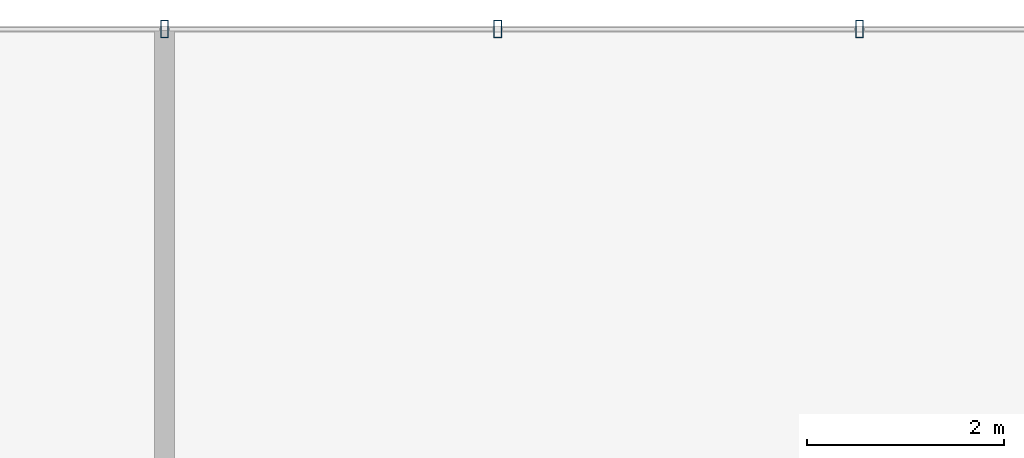
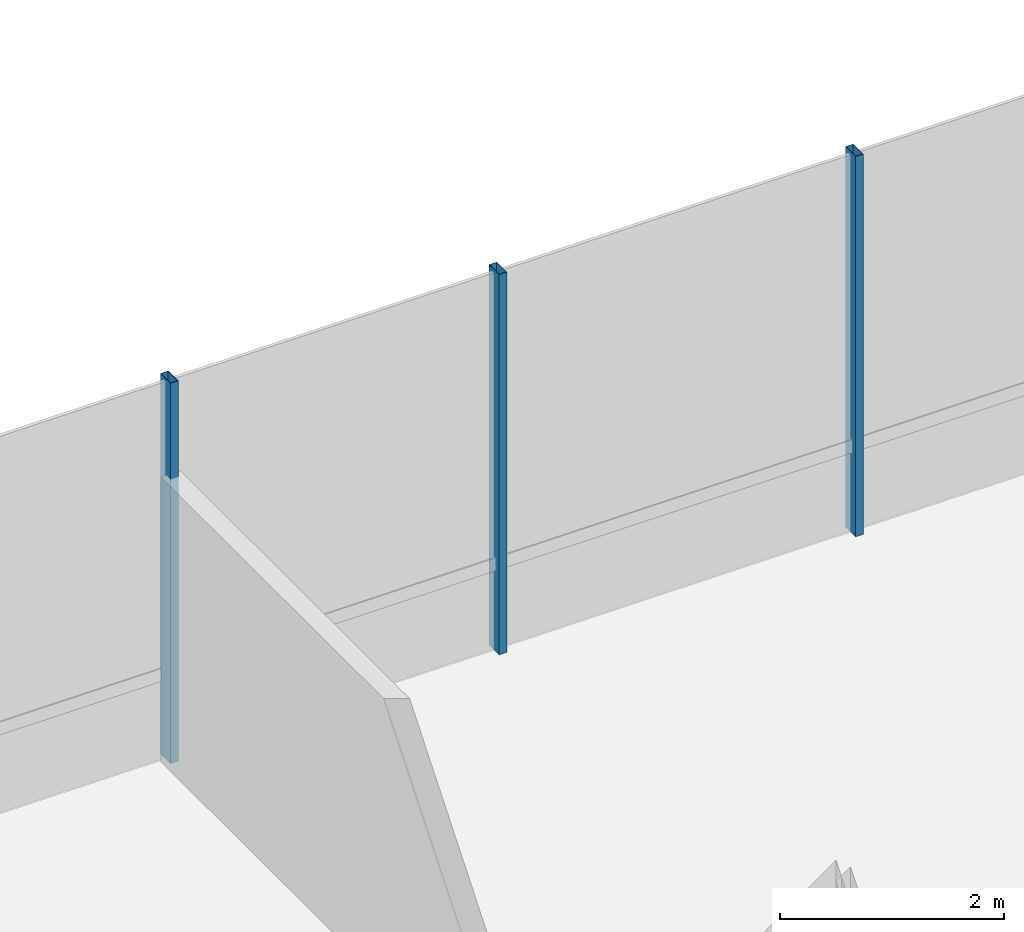
# One storey, part 19 of 37: 3 members, 1 element without a shape of its own.
"""IFC4 building model written with IfcOpenShell, lengths in metres."""

from ifc_helpers import new_model, si_unit, direction, frame, origin, origin_2d, place, context, subcontext, project, spatial, hollow_rectangle, extrude, material, layer, layer_set, material_profile, profile_set, type_object, element, aggregate, save


model = new_model("IFC4")

# Units and contexts
model_context = context("Model", 3, precision=1e-05, world=origin(), true_north=direction((0.0, 1.0)))
body_context = subcontext(model_context, "Body", "Model", "MODEL_VIEW")
ifc_project = project(units=[si_unit("LENGTHUNIT", "METRE"), si_unit("AREAUNIT", "SQUARE_METRE"), si_unit("VOLUMEUNIT", "CUBIC_METRE"), si_unit("PLANEANGLEUNIT", "RADIAN"), si_unit("MASSUNIT", "GRAM", prefix="KILO")], contexts=[model_context])

# Site, building, storey
site_placement = place(None, origin())
site = spatial("IfcSite", under=ifc_project, at=site_placement, CompositionType="ELEMENT")
building_placement = place(site_placement, origin())
building = spatial("IfcBuilding", under=site, at=building_placement, Name="Zarrinselat Tower", CompositionType="ELEMENT")
storey_placement = place(building_placement, frame((0.0, 0.0, 9.52001953125)))
storey = spatial("IfcBuildingStorey", under=building, at=storey_placement, Name="L02", CompositionType="ELEMENT", Elevation=9.52001953125)

# Curtain wall, members
ifc_material_1 = material(Name="Extruded Aluminium Alloy EN AW-6063 T6", Category="aluminium")
ifc_layer = layer(ifc_material_1, 0.2099609375)
ifc_layer_set = layer_set([ifc_layer], Name="Extruded Aluminium Alloy EN AW-6063 T6")
curtain_wall_type = type_object("IfcCurtainWallType", Name="CWS-POD", PredefinedType="NOTDEFINED", material=ifc_layer_set)
curtain_wall_placement = place(storey_placement, origin())
curtain_wall = element("IfcCurtainWall", 1, at=curtain_wall_placement, inside=storey, type_object=curtain_wall_type, Name="L02 Unitised Curtain Wall CW-L02-F5", PredefinedType="NOTDEFINED")
ifc_material_2 = material(Name="Extruded Aluminium Alloy EN AW-6063 T6", Category="aluminium")
ifc_material_profile = material_profile(ifc_material_2, hollow_rectangle(XDim=0.080078125, YDim=0.179931640625, WallThickness=0.0048828125, at=origin_2d()), Name="RHS 180x80x5")
ifc_profile_set = profile_set([ifc_material_profile], Name="Extruded Aluminium Alloy EN AW-6063 T6")
member_type = type_object("IfcMemberType", Name="MEM-CW-MUL", PredefinedType="MULLION", material=ifc_profile_set)
member_1_placement = place(storey_placement, frame((25.552978515625, 51.800048828125, 0.0), z_axis=(0.0, 0.0, 1.0), x_axis=(-1.0, 0.0, 0.0)))
member_1 = element("IfcMember", 2, at=member_1_placement, type_object=member_type, Name="CW-L02-F5 Mullion 13", PredefinedType="MULLION", context=body_context, shape_type="SweptSolid", body=[
    extrude(hollow_rectangle(XDim=0.080078125, YDim=0.179931640625, WallThickness=0.0048828125, at=origin_2d()), origin(), (0.0, 0.0, 1.0), 4.139892578125),
])
member_2_placement = place(storey_placement, frame((21.88232421875, 51.800048828125, 0.0), z_axis=(0.0, 0.0, 1.0), x_axis=(-1.0, 0.0, 0.0)))
member_2 = element("IfcMember", 3, at=member_2_placement, type_object=member_type, Name="CW-L02-F5 Mullion 14", PredefinedType="MULLION", context=body_context, shape_type="SweptSolid", body=[
    extrude(hollow_rectangle(XDim=0.080078125, YDim=0.179931640625, WallThickness=0.0048828125, at=origin_2d()), origin(), (0.0, 0.0, 1.0), 4.139892578125),
])
member_3_placement = place(storey_placement, frame((18.5, 51.800048828125, 0.0), z_axis=(0.0, 0.0, 1.0), x_axis=(-1.0, 0.0, 0.0)))
member_3 = element("IfcMember", 4, at=member_3_placement, type_object=member_type, Name="CW-L02-F5 Mullion 15", PredefinedType="MULLION", context=body_context, shape_type="SweptSolid", body=[
    extrude(hollow_rectangle(XDim=0.080078125, YDim=0.179931640625, WallThickness=0.0048828125, at=origin_2d()), origin(), (0.0, 0.0, 1.0), 4.139892578125),
])
aggregate(curtain_wall, [member_1, member_2, member_3])

save(model, "model.ifc")
